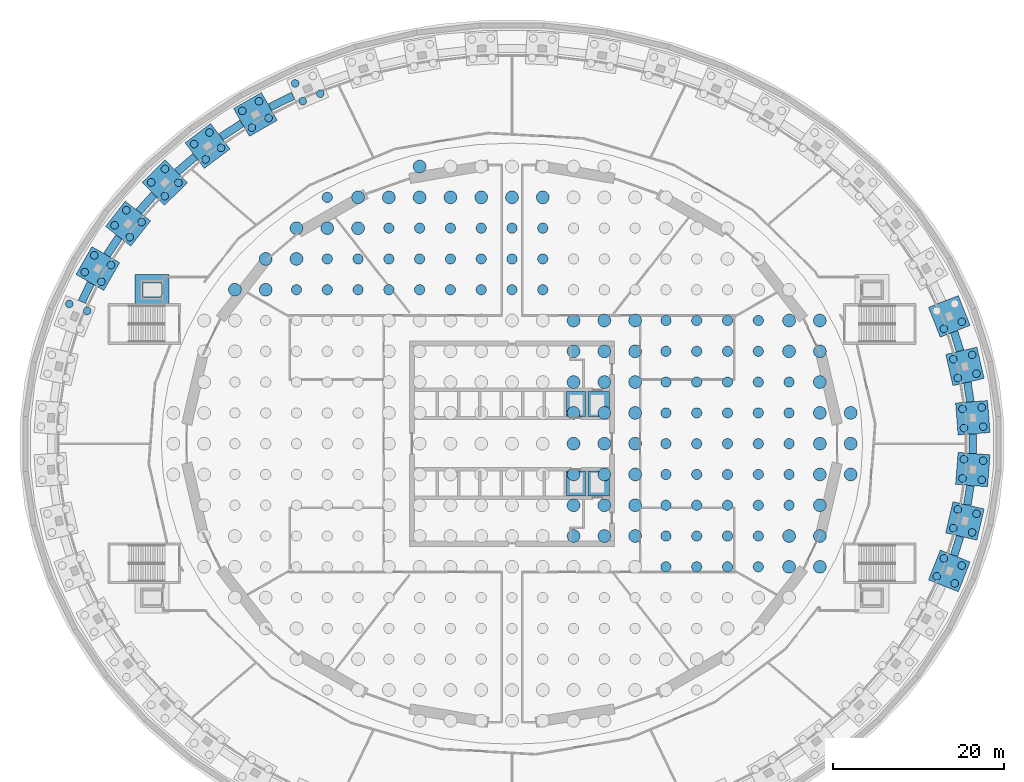
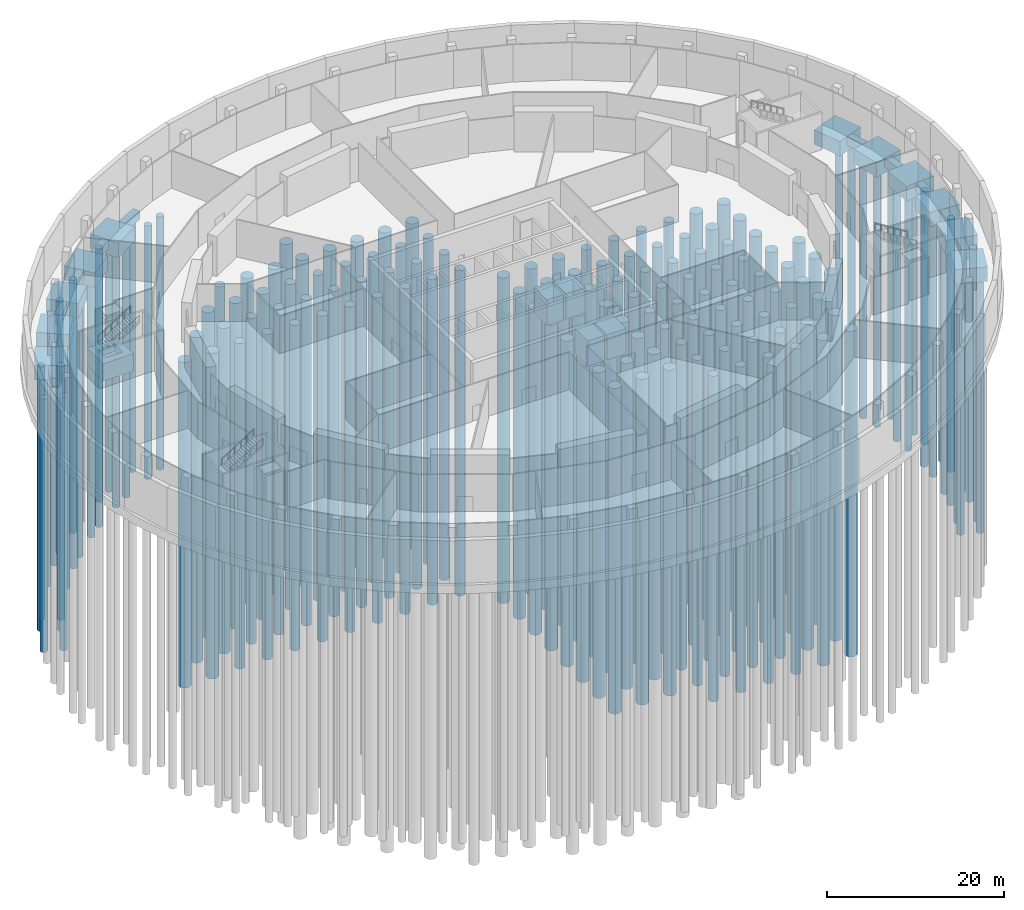
# One storey, part 3 of 15: 167 piles, 28 footings.
"""IFC4 building model written with IfcOpenShell, lengths in metres."""

from ifc_helpers import new_model, si_unit, direction, frame, origin, origin_2d, place, context, subcontext, project, spatial, polyline, rectangle, circle, outline, extrude, material, layer, layer_set, material_profile, profile_set, type_object, element, save


model = new_model("IFC4")

# Units and contexts
model_context = context("Model", 3, precision=1e-05, world=origin(), true_north=direction((0.0, 1.0)))
body_context = subcontext(model_context, "Body", "Model", "MODEL_VIEW")
ifc_project = project(units=[si_unit("LENGTHUNIT", "METRE"), si_unit("AREAUNIT", "SQUARE_METRE"), si_unit("VOLUMEUNIT", "CUBIC_METRE"), si_unit("PLANEANGLEUNIT", "RADIAN"), si_unit("MASSUNIT", "GRAM", prefix="KILO")], contexts=[model_context])

# Site, building, storey
site_placement = place(None, origin())
site = spatial("IfcSite", under=ifc_project, at=site_placement, CompositionType="ELEMENT")
building_placement = place(site_placement, origin())
building = spatial("IfcBuilding", under=site, at=building_placement, Name="Halqa Exchange Tower", CompositionType="ELEMENT")
storey_placement = place(building_placement, frame((0.0, 0.0, -15.0)))
storey = spatial("IfcBuildingStorey", under=building, at=storey_placement, Name="B3", CompositionType="ELEMENT", Elevation=-15.0)

# Piles
ifc_material_1 = material(Name="Concrete C35/45", Category="concrete")
ifc_material_profile_1 = material_profile(ifc_material_1, circle(Radius=0.60009765625, at=origin_2d()), Name="D1200")
ifc_profile_set_1 = profile_set([ifc_material_profile_1], Name="Concrete C35/45")
pile_type_1 = type_object("IfcPileType", Name="Bored pile D1200", PredefinedType="BORED", material=ifc_profile_set_1)
for number, where, z_axis, x_axis, name in (
    (1, (18.0, -14.39990234375, -4.89990234375), (0.0, 0.0, -1.0), (1.0, 0.0, 0.0), "Raft pile"),
    (2, (21.60009765625, -14.39990234375, -4.89990234375), (0.0, 0.0, -1.0), (1.0, 0.0, 0.0), "Raft pile"),
    (3, (25.199951171875, -14.39990234375, -4.89990234375), (0.0, 0.0, -1.0), (1.0, 0.0, 0.0), "Raft pile"),
    (4, (28.800048828125, -14.39990234375, -4.89990234375), (0.0, 0.0, -1.0), (1.0, 0.0, 0.0), "Raft pile"),
    (5, (18.0, -10.800048828125, -4.89990234375), (0.0, 0.0, -1.0), (1.0, 0.0, 0.0), "Raft pile"),
    (6, (21.60009765625, -10.800048828125, -4.89990234375), (0.0, 0.0, -1.0), (1.0, 0.0, 0.0), "Raft pile"),
    (7, (25.199951171875, -10.800048828125, -4.89990234375), (0.0, 0.0, -1.0), (1.0, 0.0, 0.0), "Raft pile"),
    (8, (28.800048828125, -10.800048828125, -4.89990234375), (0.0, 0.0, -1.0), (1.0, 0.0, 0.0), "Raft pile"),
    (9, (18.0, -7.199951171875, -4.89990234375), (0.0, 0.0, -1.0), (1.0, 0.0, 0.0), "Raft pile"),
    (10, (21.60009765625, -7.199951171875, -4.89990234375), (0.0, 0.0, -1.0), (1.0, 0.0, 0.0), "Raft pile"),
    (11, (25.199951171875, -7.199951171875, -4.89990234375), (0.0, 0.0, -1.0), (1.0, 0.0, 0.0), "Raft pile"),
    (12, (28.800048828125, -7.199951171875, -4.89990234375), (0.0, 0.0, -1.0), (1.0, 0.0, 0.0), "Raft pile"),
    (13, (32.39990234375, -7.199951171875, -4.89990234375), (0.0, 0.0, -1.0), (1.0, 0.0, 0.0), "Raft pile"),
    (14, (18.0, -3.60009765625, -4.89990234375), (0.0, 0.0, -1.0), (1.0, 0.0, 0.0), "Raft pile"),
    (15, (21.60009765625, -3.60009765625, -4.89990234375), (0.0, 0.0, -1.0), (1.0, 0.0, 0.0), "Raft pile"),
    (16, (25.199951171875, -3.60009765625, -4.89990234375), (0.0, 0.0, -1.0), (1.0, 0.0, 0.0), "Raft pile"),
    (17, (28.800048828125, -3.60009765625, -4.89990234375), (0.0, 0.0, -1.0), (1.0, 0.0, 0.0), "Raft pile"),
    (18, (32.39990234375, -3.60009765625, -4.89990234375), (0.0, 0.0, -1.0), (1.0, 0.0, 0.0), "Raft pile"),
    (19, (18.0, 0.0, -4.89990234375), (0.0, 0.0, -1.0), (1.0, 0.0, 0.0), "Raft pile"),
    (20, (21.60009765625, 0.0, -4.89990234375), (0.0, 0.0, -1.0), (1.0, 0.0, 0.0), "Raft pile"),
    (21, (25.199951171875, 0.0, -4.89990234375), (0.0, 0.0, -1.0), (1.0, 0.0, 0.0), "Raft pile"),
    (22, (28.800048828125, 0.0, -4.89990234375), (0.0, 0.0, -1.0), (1.0, 0.0, 0.0), "Raft pile"),
    (23, (32.39990234375, 0.0, -4.89990234375), (0.0, 0.0, -1.0), (1.0, 0.0, 0.0), "Raft pile"),
    (24, (18.0, 3.60009765625, -4.89990234375), (0.0, 0.0, -1.0), (1.0, 0.0, 0.0), "Raft pile"),
    (25, (21.60009765625, 3.60009765625, -4.89990234375), (0.0, 0.0, -1.0), (1.0, 0.0, 0.0), "Raft pile"),
    (26, (25.199951171875, 3.60009765625, -4.89990234375), (0.0, 0.0, -1.0), (1.0, 0.0, 0.0), "Raft pile"),
    (27, (28.800048828125, 3.60009765625, -4.89990234375), (0.0, 0.0, -1.0), (1.0, 0.0, 0.0), "Raft pile"),
    (28, (32.39990234375, 3.60009765625, -4.89990234375), (0.0, 0.0, -1.0), (1.0, 0.0, 0.0), "Raft pile"),
    (29, (18.0, 7.199951171875, -4.89990234375), (0.0, 0.0, -1.0), (1.0, 0.0, 0.0), "Raft pile"),
    (30, (21.60009765625, 7.199951171875, -4.89990234375), (0.0, 0.0, -1.0), (1.0, 0.0, 0.0), "Raft pile"),
    (31, (25.199951171875, 7.199951171875, -4.89990234375), (0.0, 0.0, -1.0), (1.0, 0.0, 0.0), "Raft pile"),
    (32, (28.800048828125, 7.199951171875, -4.89990234375), (0.0, 0.0, -1.0), (1.0, 0.0, 0.0), "Raft pile"),
    (33, (32.39990234375, 7.199951171875, -4.89990234375), (0.0, 0.0, -1.0), (1.0, 0.0, 0.0), "Raft pile"),
    (34, (18.0, 10.800048828125, -4.89990234375), (0.0, 0.0, -1.0), (1.0, 0.0, 0.0), "Raft pile"),
    (35, (21.60009765625, 10.800048828125, -4.89990234375), (0.0, 0.0, -1.0), (1.0, 0.0, 0.0), "Raft pile"),
    (36, (25.199951171875, 10.800048828125, -4.89990234375), (0.0, 0.0, -1.0), (1.0, 0.0, 0.0), "Raft pile"),
    (37, (28.800048828125, 10.800048828125, -4.89990234375), (0.0, 0.0, -1.0), (1.0, 0.0, 0.0), "Raft pile"),
    (38, (18.0, 14.39990234375, -4.89990234375), (0.0, 0.0, -1.0), (1.0, 0.0, 0.0), "Raft pile"),
    (39, (21.60009765625, 14.39990234375, -4.89990234375), (0.0, 0.0, -1.0), (1.0, 0.0, 0.0), "Raft pile"),
    (40, (25.199951171875, 14.39990234375, -4.89990234375), (0.0, 0.0, -1.0), (1.0, 0.0, 0.0), "Raft pile"),
    (41, (28.800048828125, 14.39990234375, -4.89990234375), (0.0, 0.0, -1.0), (1.0, 0.0, 0.0), "Raft pile"),
    (42, (-25.199951171875, 18.0, -4.89990234375), (0.0, 0.0, -1.0), (1.0, 0.0, 0.0), "Raft pile"),
    (43, (-21.60009765625, 18.0, -4.89990234375), (0.0, 0.0, -1.0), (1.0, 0.0, 0.0), "Raft pile"),
    (44, (-18.0, 18.0, -4.89990234375), (0.0, 0.0, -1.0), (1.0, 0.0, 0.0), "Raft pile"),
    (45, (-14.39990234375, 18.0, -4.89990234375), (0.0, 0.0, -1.0), (1.0, 0.0, 0.0), "Raft pile"),
    (46, (-10.800048828125, 18.0, -4.89990234375), (0.0, 0.0, -1.0), (1.0, 0.0, 0.0), "Raft pile"),
    (47, (-7.199951171875, 18.0, -4.89990234375), (0.0, 0.0, -1.0), (1.0, 0.0, 0.0), "Raft pile"),
    (48, (-3.60009765625, 18.0, -4.89990234375), (0.0, 0.0, -1.0), (1.0, 0.0, 0.0), "Raft pile"),
    (49, (0.0, 18.0, -4.89990234375), (0.0, 0.0, -1.0), (1.0, 0.0, 0.0), "Raft pile"),
    (50, (3.60009765625, 18.0, -4.89990234375), (0.0, 0.0, -1.0), (1.0, 0.0, 0.0), "Raft pile"),
    (51, (-21.60009765625, 21.60009765625, -4.89990234375), (0.0, 0.0, -1.0), (1.0, 0.0, 0.0), "Raft pile"),
    (52, (-18.0, 21.60009765625, -4.89990234375), (0.0, 0.0, -1.0), (1.0, 0.0, 0.0), "Raft pile"),
    (53, (-14.39990234375, 21.60009765625, -4.89990234375), (0.0, 0.0, -1.0), (1.0, 0.0, 0.0), "Raft pile"),
    (54, (-10.800048828125, 21.60009765625, -4.89990234375), (0.0, 0.0, -1.0), (1.0, 0.0, 0.0), "Raft pile"),
    (55, (-7.199951171875, 21.60009765625, -4.89990234375), (0.0, 0.0, -1.0), (1.0, 0.0, 0.0), "Raft pile"),
    (56, (-3.60009765625, 21.60009765625, -4.89990234375), (0.0, 0.0, -1.0), (1.0, 0.0, 0.0), "Raft pile"),
    (57, (0.0, 21.60009765625, -4.89990234375), (0.0, 0.0, -1.0), (1.0, 0.0, 0.0), "Raft pile"),
    (58, (3.60009765625, 21.60009765625, -4.89990234375), (0.0, 0.0, -1.0), (1.0, 0.0, 0.0), "Raft pile"),
    (59, (-14.39990234375, 25.199951171875, -4.89990234375), (0.0, 0.0, -1.0), (1.0, 0.0, 0.0), "Raft pile"),
    (60, (-10.800048828125, 25.199951171875, -4.89990234375), (0.0, 0.0, -1.0), (1.0, 0.0, 0.0), "Raft pile"),
    (61, (-7.199951171875, 25.199951171875, -4.89990234375), (0.0, 0.0, -1.0), (1.0, 0.0, 0.0), "Raft pile"),
    (62, (-3.60009765625, 25.199951171875, -4.89990234375), (0.0, 0.0, -1.0), (1.0, 0.0, 0.0), "Raft pile"),
    (63, (0.0, 25.199951171875, -4.89990234375), (0.0, 0.0, -1.0), (1.0, 0.0, 0.0), "Raft pile"),
    (64, (3.60009765625, 25.199951171875, -4.89990234375), (0.0, 0.0, -1.0), (1.0, 0.0, 0.0), "Raft pile"),
    (65, (-21.60009765625, 28.800048828125, -4.89990234375), (0.0, 0.0, -1.0), (1.0, 0.0, 0.0), "Raft pile"),
):
    element("IfcPile", number, at=place(storey_placement, frame(where, z_axis=z_axis, x_axis=x_axis)), inside=storey, type_object=pile_type_1, Name=name, PredefinedType="BORED", context=body_context, shape_type="SweptSolid", body=[
        extrude(circle(Radius=0.60009765625, at=origin_2d()), origin(), (0.0, 0.0, 1.0), 45.0),
    ])
ifc_material_profile_2 = material_profile(ifc_material_1, circle(Radius=0.75, at=origin_2d()), Name="D1500")
ifc_profile_set_2 = profile_set([ifc_material_profile_2], Name="Concrete C35/45")
pile_type_2 = type_object("IfcPileType", Name="Bored pile D1500", PredefinedType="BORED", material=ifc_profile_set_2)
for number, where, z_axis, x_axis, name in (
    (66, (32.39990234375, -14.39990234375, -4.89990234375), (0.0, 0.0, -1.0), (1.0, 0.0, 0.0), "Raft pile"),
    (67, (36.0, -14.39990234375, -4.89990234375), (0.0, 0.0, -1.0), (1.0, 0.0, 0.0), "Raft pile"),
    (68, (7.199951171875, -10.800048828125, -4.89990234375), (0.0, 0.0, -1.0), (1.0, 0.0, 0.0), "Raft pile"),
    (69, (10.800048828125, -10.800048828125, -4.89990234375), (0.0, 0.0, -1.0), (1.0, 0.0, 0.0), "Raft pile"),
    (70, (14.39990234375, -10.800048828125, -4.89990234375), (0.0, 0.0, -1.0), (1.0, 0.0, 0.0), "Raft pile"),
    (71, (32.39990234375, -10.800048828125, -4.89990234375), (0.0, 0.0, -1.0), (1.0, 0.0, 0.0), "Raft pile"),
    (72, (36.0, -10.800048828125, -4.89990234375), (0.0, 0.0, -1.0), (1.0, 0.0, 0.0), "Raft pile"),
    (73, (7.199951171875, -7.199951171875, -4.89990234375), (0.0, 0.0, -1.0), (1.0, 0.0, 0.0), "Raft pile"),
    (74, (10.800048828125, -7.199951171875, -4.89990234375), (0.0, 0.0, -1.0), (1.0, 0.0, 0.0), "Raft pile"),
    (75, (14.39990234375, -7.199951171875, -4.89990234375), (0.0, 0.0, -1.0), (1.0, 0.0, 0.0), "Raft pile"),
    (76, (36.0, -7.199951171875, -4.89990234375), (0.0, 0.0, -1.0), (1.0, 0.0, 0.0), "Raft pile"),
    (77, (7.199951171875, -3.60009765625, -4.89990234375), (0.0, 0.0, -1.0), (1.0, 0.0, 0.0), "Raft pile"),
    (78, (10.800048828125, -3.60009765625, -4.89990234375), (0.0, 0.0, -1.0), (1.0, 0.0, 0.0), "Raft pile"),
    (79, (14.39990234375, -3.60009765625, -4.89990234375), (0.0, 0.0, -1.0), (1.0, 0.0, 0.0), "Raft pile"),
    (80, (36.0, -3.60009765625, -4.89990234375), (0.0, 0.0, -1.0), (1.0, 0.0, 0.0), "Raft pile"),
    (81, (39.60009765625, -3.60009765625, -4.89990234375), (0.0, 0.0, -1.0), (1.0, 0.0, 0.0), "Raft pile"),
    (82, (7.199951171875, 0.0, -4.89990234375), (0.0, 0.0, -1.0), (1.0, 0.0, 0.0), "Raft pile"),
    (83, (10.800048828125, 0.0, -4.89990234375), (0.0, 0.0, -1.0), (1.0, 0.0, 0.0), "Raft pile"),
    (84, (14.39990234375, 0.0, -4.89990234375), (0.0, 0.0, -1.0), (1.0, 0.0, 0.0), "Raft pile"),
    (85, (36.0, 0.0, -4.89990234375), (0.0, 0.0, -1.0), (1.0, 0.0, 0.0), "Raft pile"),
    (86, (39.60009765625, 0.0, -4.89990234375), (0.0, 0.0, -1.0), (1.0, 0.0, 0.0), "Raft pile"),
    (87, (7.199951171875, 3.60009765625, -4.89990234375), (0.0, 0.0, -1.0), (1.0, 0.0, 0.0), "Raft pile"),
    (88, (10.800048828125, 3.60009765625, -4.89990234375), (0.0, 0.0, -1.0), (1.0, 0.0, 0.0), "Raft pile"),
    (89, (14.39990234375, 3.60009765625, -4.89990234375), (0.0, 0.0, -1.0), (1.0, 0.0, 0.0), "Raft pile"),
    (90, (36.0, 3.60009765625, -4.89990234375), (0.0, 0.0, -1.0), (1.0, 0.0, 0.0), "Raft pile"),
    (91, (39.60009765625, 3.60009765625, -4.89990234375), (0.0, 0.0, -1.0), (1.0, 0.0, 0.0), "Raft pile"),
    (92, (7.199951171875, 7.199951171875, -4.89990234375), (0.0, 0.0, -1.0), (1.0, 0.0, 0.0), "Raft pile"),
    (93, (10.800048828125, 7.199951171875, -4.89990234375), (0.0, 0.0, -1.0), (1.0, 0.0, 0.0), "Raft pile"),
    (94, (14.39990234375, 7.199951171875, -4.89990234375), (0.0, 0.0, -1.0), (1.0, 0.0, 0.0), "Raft pile"),
    (95, (36.0, 7.199951171875, -4.89990234375), (0.0, 0.0, -1.0), (1.0, 0.0, 0.0), "Raft pile"),
    (96, (7.199951171875, 10.800048828125, -4.89990234375), (0.0, 0.0, -1.0), (1.0, 0.0, 0.0), "Raft pile"),
    (97, (10.800048828125, 10.800048828125, -4.89990234375), (0.0, 0.0, -1.0), (1.0, 0.0, 0.0), "Raft pile"),
    (98, (14.39990234375, 10.800048828125, -4.89990234375), (0.0, 0.0, -1.0), (1.0, 0.0, 0.0), "Raft pile"),
    (99, (32.39990234375, 10.800048828125, -4.89990234375), (0.0, 0.0, -1.0), (1.0, 0.0, 0.0), "Raft pile"),
    (100, (36.0, 10.800048828125, -4.89990234375), (0.0, 0.0, -1.0), (1.0, 0.0, 0.0), "Raft pile"),
    (101, (7.199951171875, 14.39990234375, -4.89990234375), (0.0, 0.0, -1.0), (1.0, 0.0, 0.0), "Raft pile"),
    (102, (10.800048828125, 14.39990234375, -4.89990234375), (0.0, 0.0, -1.0), (1.0, 0.0, 0.0), "Raft pile"),
    (103, (14.39990234375, 14.39990234375, -4.89990234375), (0.0, 0.0, -1.0), (1.0, 0.0, 0.0), "Raft pile"),
    (104, (32.39990234375, 14.39990234375, -4.89990234375), (0.0, 0.0, -1.0), (1.0, 0.0, 0.0), "Raft pile"),
    (105, (36.0, 14.39990234375, -4.89990234375), (0.0, 0.0, -1.0), (1.0, 0.0, 0.0), "Raft pile"),
    (106, (-32.39990234375, 18.0, -4.89990234375), (0.0, 0.0, -1.0), (1.0, 0.0, 0.0), "Raft pile"),
    (107, (-28.800048828125, 18.0, -4.89990234375), (0.0, 0.0, -1.0), (1.0, 0.0, 0.0), "Raft pile"),
    (108, (-28.800048828125, 21.60009765625, -4.89990234375), (0.0, 0.0, -1.0), (1.0, 0.0, 0.0), "Raft pile"),
    (109, (-25.199951171875, 21.60009765625, -4.89990234375), (0.0, 0.0, -1.0), (1.0, 0.0, 0.0), "Raft pile"),
    (110, (-25.199951171875, 25.199951171875, -4.89990234375), (0.0, 0.0, -1.0), (1.0, 0.0, 0.0), "Raft pile"),
    (111, (-21.60009765625, 25.199951171875, -4.89990234375), (0.0, 0.0, -1.0), (1.0, 0.0, 0.0), "Raft pile"),
    (112, (-18.0, 25.199951171875, -4.89990234375), (0.0, 0.0, -1.0), (1.0, 0.0, 0.0), "Raft pile"),
    (113, (-18.0, 28.800048828125, -4.89990234375), (0.0, 0.0, -1.0), (1.0, 0.0, 0.0), "Raft pile"),
    (114, (-14.39990234375, 28.800048828125, -4.89990234375), (0.0, 0.0, -1.0), (1.0, 0.0, 0.0), "Raft pile"),
    (115, (-10.800048828125, 28.800048828125, -4.89990234375), (0.0, 0.0, -1.0), (1.0, 0.0, 0.0), "Raft pile"),
    (116, (-7.199951171875, 28.800048828125, -4.89990234375), (0.0, 0.0, -1.0), (1.0, 0.0, 0.0), "Raft pile"),
    (117, (-3.60009765625, 28.800048828125, -4.89990234375), (0.0, 0.0, -1.0), (1.0, 0.0, 0.0), "Raft pile"),
    (118, (0.0, 28.800048828125, -4.89990234375), (0.0, 0.0, -1.0), (1.0, 0.0, 0.0), "Raft pile"),
    (119, (3.60009765625, 28.800048828125, -4.89990234375), (0.0, 0.0, -1.0), (1.0, 0.0, 0.0), "Raft pile"),
    (120, (-10.800048828125, 32.39990234375, -4.89990234375), (0.0, 0.0, -1.0), (1.0, 0.0, 0.0), "Raft pile"),
):
    element("IfcPile", number, at=place(storey_placement, frame(where, z_axis=z_axis, x_axis=x_axis)), inside=storey, type_object=pile_type_2, Name=name, PredefinedType="BORED", context=body_context, shape_type="SweptSolid", body=[
        extrude(circle(Radius=0.75, at=origin_2d()), origin(), (0.0, 0.0, 1.0), 45.0),
    ])
ifc_material_profile_3 = material_profile(ifc_material_1, circle(Radius=0.449951171875, at=origin_2d()), Name="D900")
ifc_profile_set_3 = profile_set([ifc_material_profile_3], Name="Concrete C35/45")
pile_type_3 = type_object("IfcPileType", Name="Bored pile D900", PredefinedType="BORED", material=ifc_profile_set_3)
for number, where, z_axis, x_axis, name in (
    (121, (55.091796875, 1.9921875, -2.39990234375), (0.0, 0.0, -1.0), (1.0, 0.0, 0.0), "Cap pile"),
    (122, (54.92041015625, 4.235595703125, -2.39990234375), (0.0, 0.0, -1.0), (1.0, 0.0, 0.0), "Cap pile"),
    (123, (52.848388671875, 1.82080078125, -2.39990234375), (0.0, 0.0, -1.0), (1.0, 0.0, 0.0), "Cap pile"),
    (124, (52.677001953125, 4.064208984375, -2.39990234375), (0.0, 0.0, -1.0), (1.0, 0.0, 0.0), "Cap pile"),
    (125, (54.3125, 8.191162109375, -2.39990234375), (0.0, 0.0, -1.0), (1.0, 0.0, 0.0), "Cap pile"),
    (126, (53.803955078125, 10.3828125, -2.39990234375), (0.0, 0.0, -1.0), (1.0, 0.0, 0.0), "Cap pile"),
    (127, (52.120849609375, 7.6826171875, -2.39990234375), (0.0, 0.0, -1.0), (1.0, 0.0, 0.0), "Cap pile"),
    (128, (51.6123046875, 9.874267578125, -2.39990234375), (0.0, 0.0, -1.0), (1.0, 0.0, 0.0), "Cap pile"),
    (129, (52.59423828125, 14.250732421875, -2.39990234375), (0.0, 0.0, -1.0), (1.0, 0.0, 0.0), "Cap pile"),
    (130, (50.502197265625, 13.422607421875, -2.39990234375), (0.0, 0.0, -1.0), (1.0, 0.0, 0.0), "Cap pile"),
    (131, (-25.35791015625, 42.123291015625, -2.39990234375), (0.0, 0.0, -1.0), (1.0, 0.0, 0.0), "Cap pile"),
    (132, (-22.4091796875, 40.927001953125, -2.39990234375), (0.0, 0.0, -1.0), (1.0, 0.0, 0.0), "Cap pile"),
    (133, (-24.481689453125, 40.05078125, -2.39990234375), (0.0, 0.0, -1.0), (1.0, 0.0, 0.0), "Cap pile"),
    (134, (-29.583984375, 40.032470703125, -2.39990234375), (0.0, 0.0, -1.0), (1.0, 0.0, 0.0), "Cap pile"),
    (135, (-31.5361328125, 38.913818359375, -2.39990234375), (0.0, 0.0, -1.0), (1.0, 0.0, 0.0), "Cap pile"),
    (136, (-28.46533203125, 38.080078125, -2.39990234375), (0.0, 0.0, -1.0), (1.0, 0.0, 0.0), "Cap pile"),
    (137, (-30.417724609375, 36.961669921875, -2.39990234375), (0.0, 0.0, -1.0), (1.0, 0.0, 0.0), "Cap pile"),
    (138, (-35.381591796875, 36.385498046875, -2.39990234375), (0.0, 0.0, -1.0), (1.0, 0.0, 0.0), "Cap pile"),
    (139, (-37.179931640625, 35.033203125, -2.39990234375), (0.0, 0.0, -1.0), (1.0, 0.0, 0.0), "Cap pile"),
    (140, (-34.029296875, 34.587158203125, -2.39990234375), (0.0, 0.0, -1.0), (1.0, 0.0, 0.0), "Cap pile"),
    (141, (-35.827880859375, 33.23486328125, -2.39990234375), (0.0, 0.0, -1.0), (1.0, 0.0, 0.0), "Cap pile"),
    (142, (-40.581298828125, 32.11865234375, -2.39990234375), (0.0, 0.0, -1.0), (1.0, 0.0, 0.0), "Cap pile"),
    (143, (-42.190185546875, 30.545654296875, -2.39990234375), (0.0, 0.0, -1.0), (1.0, 0.0, 0.0), "Cap pile"),
    (144, (-39.00830078125, 30.509765625, -2.39990234375), (0.0, 0.0, -1.0), (1.0, 0.0, 0.0), "Cap pile"),
    (145, (-40.6171875, 28.936767578125, -2.39990234375), (0.0, 0.0, -1.0), (1.0, 0.0, 0.0), "Cap pile"),
    (146, (-45.09521484375, 27.3017578125, -2.39990234375), (0.0, 0.0, -1.0), (1.0, 0.0, 0.0), "Cap pile"),
    (147, (-46.478271484375, 25.527099609375, -2.39990234375), (0.0, 0.0, -1.0), (1.0, 0.0, 0.0), "Cap pile"),
    (148, (-43.320556640625, 25.918701171875, -2.39990234375), (0.0, 0.0, -1.0), (1.0, 0.0, 0.0), "Cap pile"),
    (149, (-44.70361328125, 24.14404296875, -2.39990234375), (0.0, 0.0, -1.0), (1.0, 0.0, 0.0), "Cap pile"),
    (150, (-48.845458984375, 22.01416015625, -2.39990234375), (0.0, 0.0, -1.0), (1.0, 0.0, 0.0), "Cap pile"),
    (151, (-49.96728515625, 20.063720703125, -2.39990234375), (0.0, 0.0, -1.0), (1.0, 0.0, 0.0), "Cap pile"),
    (152, (-46.89501953125, 20.892333984375, -2.39990234375), (0.0, 0.0, -1.0), (1.0, 0.0, 0.0), "Cap pile"),
    (153, (-48.016845703125, 18.94189453125, -2.39990234375), (0.0, 0.0, -1.0), (1.0, 0.0, 0.0), "Cap pile"),
    (154, (-51.76611328125, 16.3427734375, -2.39990234375), (0.0, 0.0, -1.0), (1.0, 0.0, 0.0), "Cap pile"),
    (155, (-49.674072265625, 15.514404296875, -2.39990234375), (0.0, 0.0, -1.0), (1.0, 0.0, 0.0), "Cap pile"),
    (156, (51.76611328125, -16.3427734375, -2.39990234375), (0.0, 0.0, -1.0), (1.0, 0.0, 0.0), "Cap pile"),
    (157, (52.59423828125, -14.250732421875, -2.39990234375), (0.0, 0.0, -1.0), (1.0, 0.0, 0.0), "Cap pile"),
    (158, (49.674072265625, -15.514404296875, -2.39990234375), (0.0, 0.0, -1.0), (1.0, 0.0, 0.0), "Cap pile"),
    (159, (50.502197265625, -13.422607421875, -2.39990234375), (0.0, 0.0, -1.0), (1.0, 0.0, 0.0), "Cap pile"),
    (160, (53.803955078125, -10.3828125, -2.39990234375), (0.0, 0.0, -1.0), (1.0, 0.0, 0.0), "Cap pile"),
    (161, (54.3125, -8.191162109375, -2.39990234375), (0.0, 0.0, -1.0), (1.0, 0.0, 0.0), "Cap pile"),
    (162, (51.6123046875, -9.874267578125, -2.39990234375), (0.0, 0.0, -1.0), (1.0, 0.0, 0.0), "Cap pile"),
    (163, (52.120849609375, -7.6826171875, -2.39990234375), (0.0, 0.0, -1.0), (1.0, 0.0, 0.0), "Cap pile"),
    (164, (54.92041015625, -4.235595703125, -2.39990234375), (0.0, 0.0, -1.0), (1.0, 0.0, 0.0), "Cap pile"),
    (165, (55.091796875, -1.9921875, -2.39990234375), (0.0, 0.0, -1.0), (1.0, 0.0, 0.0), "Cap pile"),
    (166, (52.677001953125, -4.064208984375, -2.39990234375), (0.0, 0.0, -1.0), (1.0, 0.0, 0.0), "Cap pile"),
    (167, (52.848388671875, -1.82080078125, -2.39990234375), (0.0, 0.0, -1.0), (1.0, 0.0, 0.0), "Cap pile"),
):
    element("IfcPile", number, at=place(storey_placement, frame(where, z_axis=z_axis, x_axis=x_axis)), inside=storey, type_object=pile_type_3, Name=name, PredefinedType="BORED", context=body_context, shape_type="SweptSolid", body=[
        extrude(circle(Radius=0.449951171875, at=origin_2d()), origin(), (0.0, 0.0, 1.0), 35.0),
    ])

# Footings
ifc_material_2 = material(Name="Concrete C40/50", Category="concrete")
footing_type_1 = type_object("IfcFootingType", Name="Ground beam 900 x 1200", PredefinedType="FOOTING_BEAM", material=ifc_material_2)
footing_1_placement = place(storey_placement, frame((0.0, 0.0, -1.60009765625)))
element("IfcFooting", 168, at=footing_1_placement, inside=storey, type_object=footing_type_1, Name="Ground beam 1", PredefinedType="FOOTING_BEAM", context=body_context, shape_type="SweptSolid", body=[
    extrude(outline(polyline([(53.151123046875, 4.83837890625), (52.805908203125, 7.0859375), (53.695556640625, 7.22265625), (54.040771484375, 4.974853515625), (53.151123046875, 4.83837890625)])), origin(), (0.0, 0.0, 1.0), 1.2001953125),
])
footing_2_placement = place(storey_placement, frame((0.0, 0.0, -1.60009765625)))
element("IfcFooting", 169, at=footing_2_placement, inside=storey, type_object=footing_type_1, Name="Ground beam 2", PredefinedType="FOOTING_BEAM", context=body_context, shape_type="SweptSolid", body=[
    extrude(outline(polyline([(51.966064453125, 10.712158203125), (51.271484375, 12.934814453125), (52.130615234375, 13.203125), (52.8251953125, 10.980712890625), (51.966064453125, 10.712158203125)])), origin(), (0.0, 0.0, 1.0), 1.2001953125),
])
footing_3_placement = place(storey_placement, frame((0.0, 0.0, -1.60009765625)))
element("IfcFooting", 170, at=footing_3_placement, inside=storey, type_object=footing_type_1, Name="Ground beam 16", PredefinedType="FOOTING_BEAM", context=body_context, shape_type="SweptSolid", body=[
    extrude(outline(polyline([(-25.38525390625, 40.27978515625), (-28.099853515625, 38.935791015625), (-28.4990234375, 39.742431640625), (-25.784423828125, 41.086181640625), (-25.38525390625, 40.27978515625)])), origin(), (0.0, 0.0, 1.0), 1.2001953125),
])
footing_4_placement = place(storey_placement, frame((0.0, 0.0, -1.60009765625)))
element("IfcFooting", 171, at=footing_4_placement, inside=storey, type_object=footing_type_1, Name="Ground beam 17", PredefinedType="FOOTING_BEAM", context=body_context, shape_type="SweptSolid", body=[
    extrude(outline(polyline([(-31.339599609375, 37.07763671875), (-33.771240234375, 35.477783203125), (-34.265869140625, 36.229736328125), (-31.834228515625, 37.829345703125), (-31.339599609375, 37.07763671875)])), origin(), (0.0, 0.0, 1.0), 1.2001953125),
])
footing_5_placement = place(storey_placement, frame((0.0, 0.0, -1.60009765625)))
element("IfcFooting", 172, at=footing_5_placement, inside=storey, type_object=footing_type_1, Name="Ground beam 18", PredefinedType="FOOTING_BEAM", context=body_context, shape_type="SweptSolid", body=[
    extrude(outline(polyline([(-36.75341796875, 33.232666015625), (-38.86474609375, 31.422119140625), (-39.45068359375, 32.10546875), (-37.339111328125, 33.915771484375), (-36.75341796875, 33.232666015625)])), origin(), (0.0, 0.0, 1.0), 1.2001953125),
])
footing_6_placement = place(storey_placement, frame((0.0, 0.0, -1.60009765625)))
element("IfcFooting", 173, at=footing_6_placement, inside=storey, type_object=footing_type_1, Name="Ground beam 19", PredefinedType="FOOTING_BEAM", context=body_context, shape_type="SweptSolid", body=[
    extrude(outline(polyline([(-41.530517578125, 28.8125), (-43.29736328125, 26.838134765625), (-43.968017578125, 27.438232421875), (-42.201171875, 29.41259765625), (-41.530517578125, 28.8125)])), origin(), (0.0, 0.0, 1.0), 1.2001953125),
])
footing_7_placement = place(storey_placement, frame((0.0, 0.0, -1.60009765625)))
element("IfcFooting", 174, at=footing_7_placement, inside=storey, type_object=footing_type_1, Name="Ground beam 20", PredefinedType="FOOTING_BEAM", context=body_context, shape_type="SweptSolid", body=[
    extrude(outline(polyline([(-45.587158203125, 23.89599609375), (-46.996826171875, 21.802490234375), (-47.743408203125, 22.30517578125), (-46.33349609375, 24.398681640625), (-45.587158203125, 23.89599609375)])), origin(), (0.0, 0.0, 1.0), 1.2001953125),
])
footing_8_placement = place(storey_placement, frame((0.0, 0.0, -1.60009765625)))
element("IfcFooting", 175, at=footing_8_placement, inside=storey, type_object=footing_type_1, Name="Ground beam 21", PredefinedType="FOOTING_BEAM", context=body_context, shape_type="SweptSolid", body=[
    extrude(outline(polyline([(-48.852294921875, 18.571533203125), (-49.902587890625, 16.397705078125), (-50.712890625, 16.789306640625), (-49.66259765625, 18.962890625), (-48.852294921875, 18.571533203125)])), origin(), (0.0, 0.0, 1.0), 1.2001953125),
])
footing_9_placement = place(storey_placement, frame((0.0, 0.0, -1.60009765625)))
element("IfcFooting", 176, at=footing_9_placement, inside=storey, type_object=footing_type_1, Name="Ground beam 46", PredefinedType="FOOTING_BEAM", context=body_context, shape_type="SweptSolid", body=[
    extrude(outline(polyline([(51.271484375, -12.934814453125), (51.966064453125, -10.712158203125), (52.8251953125, -10.980712890625), (52.130615234375, -13.203125), (51.271484375, -12.934814453125)])), origin(), (0.0, 0.0, 1.0), 1.2001953125),
])
footing_10_placement = place(storey_placement, frame((0.0, 0.0, -1.60009765625)))
element("IfcFooting", 177, at=footing_10_placement, inside=storey, type_object=footing_type_1, Name="Ground beam 47", PredefinedType="FOOTING_BEAM", context=body_context, shape_type="SweptSolid", body=[
    extrude(outline(polyline([(52.805908203125, -7.0859375), (53.151123046875, -4.83837890625), (54.040771484375, -4.974853515625), (53.695556640625, -7.22265625), (52.805908203125, -7.0859375)])), origin(), (0.0, 0.0, 1.0), 1.2001953125),
])
footing_11_placement = place(storey_placement, frame((0.0, 0.0, -1.60009765625)))
element("IfcFooting", 178, at=footing_11_placement, inside=storey, type_object=footing_type_1, Name="Ground beam 48", PredefinedType="FOOTING_BEAM", context=body_context, shape_type="SweptSolid", body=[
    extrude(outline(polyline([(53.434326171875, -1.127685546875), (53.434326171875, 1.127685546875), (54.33447265625, 1.127685546875), (54.33447265625, -1.127685546875), (53.434326171875, -1.127685546875)])), origin(), (0.0, 0.0, 1.0), 1.2001953125),
])
ifc_layer_1 = layer(ifc_material_2, 1.0)
ifc_layer_set_1 = layer_set([ifc_layer_1], Name="Concrete C40/50")
footing_type_2 = type_object("IfcFootingType", Name="Lift pit base", PredefinedType="PAD_FOOTING", material=ifc_layer_set_1)
footing_12_placement = place(storey_placement, frame((0.0, 0.0, -4.89990234375)))
element("IfcFooting", 179, at=footing_12_placement, inside=storey, type_object=footing_type_2, Name="Lift pit base SV1", PredefinedType="PAD_FOOTING", context=body_context, shape_type="SweptSolid", body=[
    extrude(outline(polyline([(6.39990234375, 3.199951171875), (8.60009765625, 3.199951171875), (8.60009765625, 6.10009765625), (6.39990234375, 6.10009765625), (6.39990234375, 3.199951171875)])), origin(), (0.0, 0.0, 1.0), 3.5),
])
footing_13_placement = place(storey_placement, frame((0.0, 0.0, -4.89990234375)))
element("IfcFooting", 180, at=footing_13_placement, inside=storey, type_object=footing_type_2, Name="Lift pit base FF1", PredefinedType="PAD_FOOTING", context=body_context, shape_type="SweptSolid", body=[
    extrude(outline(polyline([(8.89990234375, 3.199951171875), (11.39990234375, 3.199951171875), (11.39990234375, 6.10009765625), (8.89990234375, 6.10009765625), (8.89990234375, 3.199951171875)])), origin(), (0.0, 0.0, 1.0), 3.5),
])
footing_14_placement = place(storey_placement, frame((0.0, 0.0, -4.89990234375)))
element("IfcFooting", 181, at=footing_14_placement, inside=storey, type_object=footing_type_2, Name="Lift pit base SV2", PredefinedType="PAD_FOOTING", context=body_context, shape_type="SweptSolid", body=[
    extrude(outline(polyline([(6.39990234375, -6.10009765625), (8.60009765625, -6.10009765625), (8.60009765625, -3.199951171875), (6.39990234375, -3.199951171875), (6.39990234375, -6.10009765625)])), origin(), (0.0, 0.0, 1.0), 3.5),
])
footing_15_placement = place(storey_placement, frame((0.0, 0.0, -4.89990234375)))
element("IfcFooting", 182, at=footing_15_placement, inside=storey, type_object=footing_type_2, Name="Lift pit base FF2", PredefinedType="PAD_FOOTING", context=body_context, shape_type="SweptSolid", body=[
    extrude(outline(polyline([(8.89990234375, -6.10009765625), (11.39990234375, -6.10009765625), (11.39990234375, -3.199951171875), (8.89990234375, -3.199951171875), (8.89990234375, -6.10009765625)])), origin(), (0.0, 0.0, 1.0), 3.5),
])
footing_16_placement = place(storey_placement, frame((0.0, 0.0, -2.800048828125)))
element("IfcFooting", 183, at=footing_16_placement, inside=storey, type_object=footing_type_2, Name="Lift pit base AL3", PredefinedType="PAD_FOOTING", context=body_context, shape_type="SweptSolid", body=[
    extrude(outline(polyline([(-43.199951171875, 17.10009765625), (-41.0, 17.10009765625), (-41.0, 18.89990234375), (-43.199951171875, 18.89990234375), (-43.199951171875, 17.10009765625)])), origin(), (0.0, 0.0, 1.0), 1.400146484375),
])
ifc_layer_2 = layer(ifc_material_2, 2.39990234375)
ifc_layer_set_2 = layer_set([ifc_layer_2], Name="Concrete C40/50")
footing_type_3 = type_object("IfcFootingType", Name="Lift pit pad", PredefinedType="PAD_FOOTING", material=ifc_layer_set_2)
footing_17_placement = place(storey_placement, frame((0.0, 0.0, -2.800048828125)))
element("IfcFooting", 184, at=footing_17_placement, inside=storey, type_object=footing_type_3, Name="Lift pit pad AL3", PredefinedType="PAD_FOOTING", context=body_context, shape_type="SweptSolid", body=[
    extrude(outline(polyline([(-44.10009765625, 16.199951171875), (-40.10009765625, 16.199951171875), (-40.10009765625, 19.800048828125), (-44.10009765625, 19.800048828125), (-44.10009765625, 16.199951171875)]), holes=[polyline([(-43.199951171875, 17.10009765625), (-41.0, 17.10009765625), (-41.0, 18.89990234375), (-43.199951171875, 18.89990234375), (-43.199951171875, 17.10009765625)])]), origin(), (0.0, 0.0, 1.0), 2.400146484375),
])
footing_type_4 = type_object("IfcFootingType", Name="Pile cap 3750 x 3750 x 2000", PredefinedType="PILE_CAP", material=ifc_material_2)
for number, where, z_axis, x_axis, name in (
    (185, (53.884521484375, 3.0283203125, -2.39990234375), (0.0, 0.0, 1.0), (-0.076223065836, 0.997090790367, 0.0), "Pile cap 1"),
    (186, (52.96240234375, 9.03271484375, -2.39990234375), (0.0, 0.0, 1.0), (-0.22599679145, 0.974128046129, 0.0), "Pile cap 2"),
    (187, (51.13427734375, 14.882568359375, -2.39990234375), (0.0, 0.0, 1.0), (-0.368109947744, 0.92978226826, 0.0), "Pile cap 3"),
    (188, (-30.000732421875, 38.4970703125, -2.39990234375), (0.0, 0.0, 1.0), (-0.867693451459, -0.497099662336, 0.0), "Pile cap 17"),
    (189, (-35.604736328125, 34.810302734375, -2.39990234375), (0.0, 0.0, 1.0), (-0.799260046694, -0.600985339055, 0.0), "Pile cap 18"),
    (190, (-40.599365234375, 30.527587890625, -2.39990234375), (0.0, 0.0, 1.0), (-0.715039055588, -0.699084507755, 0.0), "Pile cap 19"),
    (191, (-44.8994140625, 25.722900390625, -2.39990234375), (0.0, 0.0, 1.0), (-0.614691396063, -0.788767701929, 0.0), "Pile cap 20"),
    (192, (-48.43115234375, 20.47802734375, -2.39990234375), (0.0, 0.0, 1.0), (-0.498569440634, -0.866849763723, 0.0), "Pile cap 21"),
    (193, (51.13427734375, -14.882568359375, -2.39990234375), (0.0, 0.0, 1.0), (0.368109947744, 0.92978226826, 0.0), "Pile cap 46"),
    (194, (52.96240234375, -9.03271484375, -2.39990234375), (0.0, 0.0, 1.0), (0.22599679145, 0.974128046129, 0.0), "Pile cap 47"),
    (195, (53.884521484375, -3.0283203125, -2.39990234375), (0.0, 0.0, 1.0), (0.076223065836, 0.997090790367, 0.0), "Pile cap 48"),
):
    element("IfcFooting", number, at=place(storey_placement, frame(where, z_axis=z_axis, x_axis=x_axis)), inside=storey, type_object=footing_type_4, Name=name, PredefinedType="PILE_CAP", context=body_context, shape_type="SweptSolid", body=[
        extrude(rectangle(XDim=3.75, YDim=3.75, at=origin_2d()), origin(), (0.0, 0.0, 1.0), 2.0),
    ])

save(model, "model.ifc")
